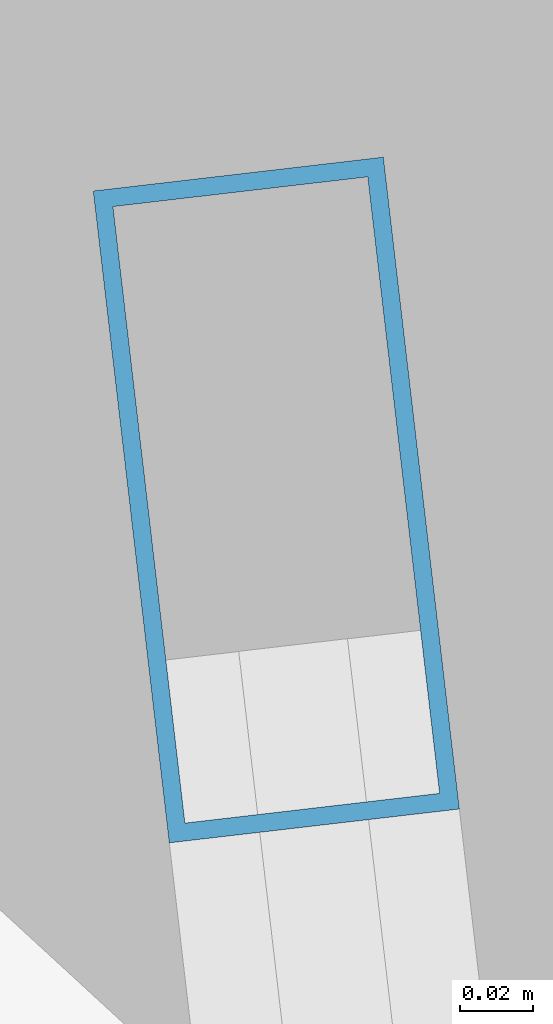
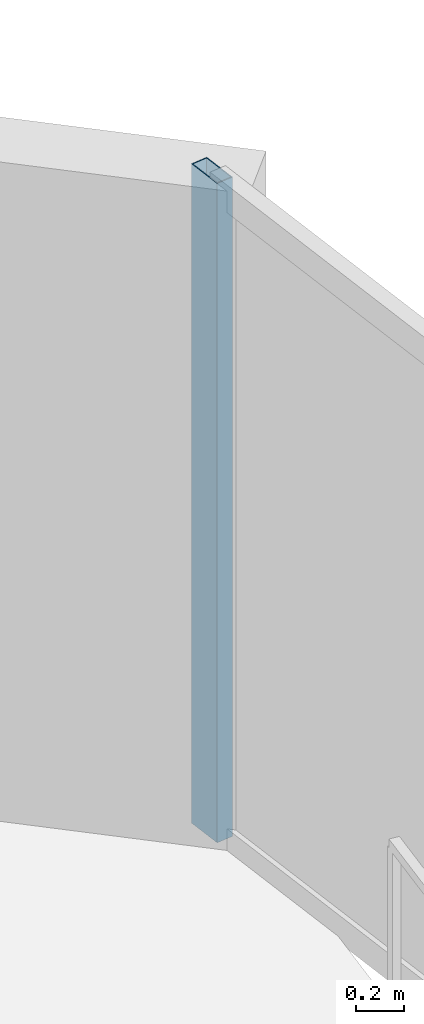
# One storey, part 22 of 31: 1 member, 1 element without a shape of its own.
"""IFC4 building model written with IfcOpenShell, lengths in metres."""

from ifc_helpers import new_model, si_unit, direction, frame, origin, origin_2d, place, context, subcontext, project, spatial, hollow_rectangle, extrude, material, layer, layer_set, material_profile, profile_set, type_object, element, aggregate, save


model = new_model("IFC4")

# Units and contexts
model_context = context("Model", 3, precision=1e-05, world=origin(), true_north=direction((0.0, 1.0)))
body_context = subcontext(model_context, "Body", "Model", "MODEL_VIEW")
ifc_project = project(units=[si_unit("LENGTHUNIT", "METRE"), si_unit("AREAUNIT", "SQUARE_METRE"), si_unit("VOLUMEUNIT", "CUBIC_METRE"), si_unit("PLANEANGLEUNIT", "RADIAN"), si_unit("MASSUNIT", "GRAM", prefix="KILO")], contexts=[model_context])

# Site, building, storey
site_placement = place(None, origin())
site = spatial("IfcSite", under=ifc_project, at=site_placement, CompositionType="ELEMENT")
building_placement = place(site_placement, origin())
building = spatial("IfcBuilding", under=site, at=building_placement, Name="Kazevale Care Tower and Concert Hall", CompositionType="ELEMENT")
storey_placement = place(building_placement, frame((0.0, 0.0, 220.800048828125)))
storey = spatial("IfcBuildingStorey", under=building, at=storey_placement, Name="L58", CompositionType="ELEMENT", Elevation=220.800048828125)

# Curtain wall, member
ifc_material_1 = material(Name="Aluminium 6063-T6 and Low-E Glass", Category="aluminium")
ifc_layer = layer(ifc_material_1, 0.179931640625)
ifc_layer_set = layer_set([ifc_layer], Name="Aluminium 6063-T6 and Low-E Glass")
curtain_wall_type = type_object("IfcCurtainWallType", Name="Waist & Upper Residential Curtain Wall CW-4", PredefinedType="NOTDEFINED", material=ifc_layer_set)
curtain_wall_placement = place(storey_placement, origin())
curtain_wall = element("IfcCurtainWall", 1, at=curtain_wall_placement, inside=storey, type_object=curtain_wall_type, Name="cw:L58:f18", PredefinedType="NOTDEFINED")
ifc_material_2 = material(Name="Aluminium 6063-T6", Category="aluminium")
ifc_material_profile = material_profile(ifc_material_2, hollow_rectangle(XDim=0.080078125, YDim=0.179931640625, WallThickness=0.0048828125, at=origin_2d()), Name="ALU80x180x5")
ifc_profile_set = profile_set([ifc_material_profile], Name="Aluminium 6063-T6")
member_type = type_object("IfcMemberType", Name="CW-4 Mullion ALU80x180x5", PredefinedType="MULLION", material=ifc_profile_set)
member_placement = place(storey_placement, frame((75.2255859375, 49.955322265625, 0.0), z_axis=(0.0, 0.0, 1.0), x_axis=(0.993267109779, 0.115846659989, 0.0)))
member = element("IfcMember", 2, at=member_placement, type_object=member_type, Name="CW-4 mullion 1", PredefinedType="MULLION", context=body_context, shape_type="SweptSolid", body=[
    extrude(hollow_rectangle(XDim=0.080078125, YDim=0.179931640625, WallThickness=0.0048828125, at=origin_2d()), origin(), (0.0, 0.0, 1.0), 3.35986328125),
])
aggregate(curtain_wall, [member])

save(model, "model.ifc")
